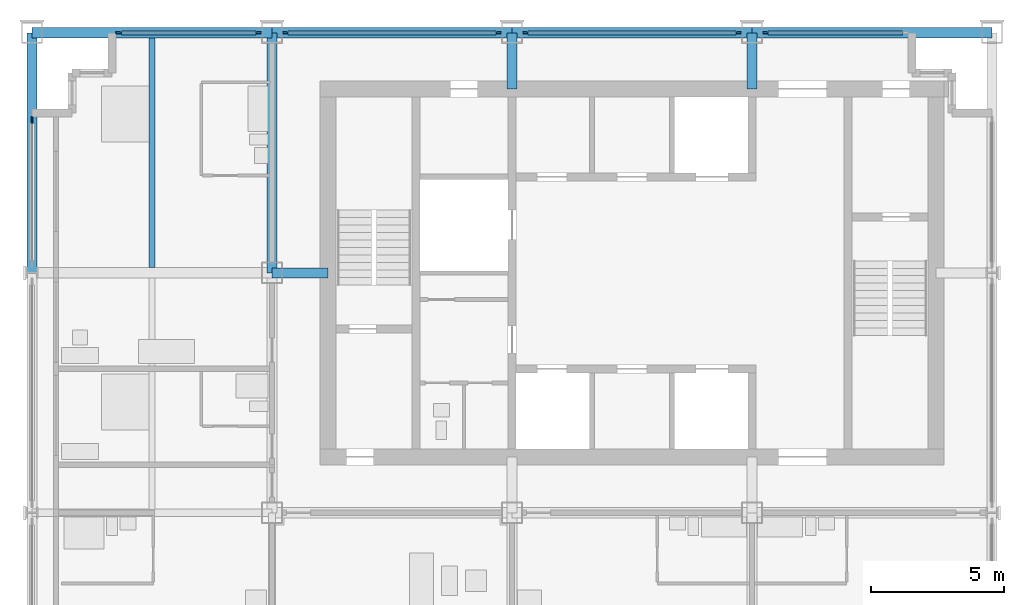
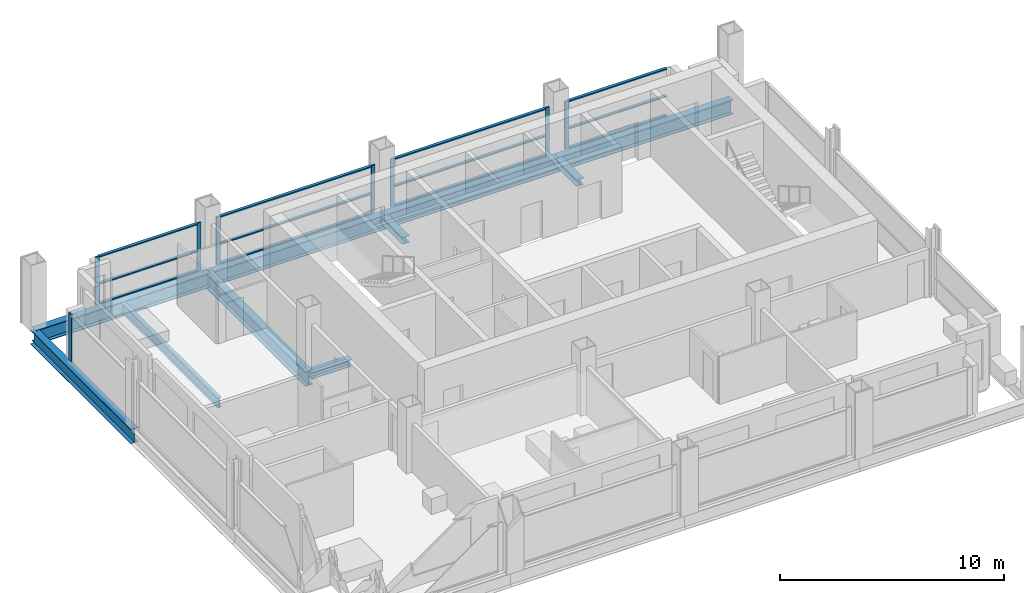
# One storey, part 3 of 11: 23 members, 7 beams, 5 elements without a shape of their own.
"""IFC4 building model written with IfcOpenShell, lengths in metres."""

from ifc_helpers import new_model, si_unit, direction, frame, origin, origin_2d, place, context, subcontext, project, spatial, rectangle, i_section, extrude, material, material_profile, profile_set, type_object, element, aggregate, save


model = new_model("IFC4")

# Units and contexts
model_context = context("Model", 3, precision=1e-05, world=origin(), true_north=direction((0.0, 1.0)))
body_context = subcontext(model_context, "Body", "Model", "MODEL_VIEW")
ifc_project = project(units=[si_unit("LENGTHUNIT", "METRE"), si_unit("AREAUNIT", "SQUARE_METRE"), si_unit("VOLUMEUNIT", "CUBIC_METRE"), si_unit("PLANEANGLEUNIT", "RADIAN"), si_unit("MASSUNIT", "GRAM", prefix="KILO")], contexts=[model_context])

# Site, building, storey
site_placement = place(None, origin())
site = spatial("IfcSite", under=ifc_project, at=site_placement, CompositionType="ELEMENT")
building_placement = place(site_placement, origin())
building = spatial("IfcBuilding", under=site, at=building_placement, Name="Loomwork Tower", CompositionType="ELEMENT")
storey_placement = place(building_placement, frame((0.0, 0.0, 241.0)))
storey = spatial("IfcBuildingStorey", under=building, at=storey_placement, Name="L66", CompositionType="ELEMENT", Elevation=241.0)

# Beam
ifc_material_1 = material(Name="Steel ASTM A992", Category="steel")
ifc_material_profile_1 = material_profile(ifc_material_1, i_section(OverallWidth=0.383544921875, OverallDepth=0.794921875, WebThickness=0.02099609375, FlangeThickness=0.0380859375, at=origin_2d()), Name="W30x235")
ifc_profile_set_1 = profile_set([ifc_material_profile_1], Name="Steel ASTM A992")
beam_type_1 = type_object("IfcBeamType", Name="CORE FLANK GIRDER W30x235", PredefinedType="BEAM", material=ifc_profile_set_1)
beam_1_placement = place(storey_placement, frame((9.0, 18.0, -0.597412109375), z_axis=(0.0, 1.0, 0.0), x_axis=(-1.0, 0.0, 0.0)))
element("IfcBeam", 1, at=beam_1_placement, inside=storey, type_object=beam_type_1, Name="Core Flank Girder F/3-G/3 L66", PredefinedType="BEAM", context=body_context, shape_type="SweptSolid", body=[
    extrude(i_section(OverallWidth=0.383544921875, OverallDepth=0.794921875, WebThickness=0.02099609375, FlangeThickness=0.0380859375, at=origin_2d()), origin(), (0.0, 0.0, 1.0), 9.0),
])

# Members
ifc_material_2 = material(Name="Steel ASTM A992", Category="steel")
ifc_material_profile_2 = material_profile(ifc_material_2, i_section(OverallWidth=0.373291015625, OverallDepth=0.373291015625, WebThickness=0.016357421875, FlangeThickness=0.026123046875, at=origin_2d()), Name="W14x132")
ifc_profile_set_2 = profile_set([ifc_material_profile_2], Name="Steel ASTM A992")
member_type_1 = type_object("IfcMemberType", Name="CORE LINK STRUT W14x132", PredefinedType="STRUT", material=ifc_profile_set_2)
for number, where, z_axis, x_axis, name in (
    (2, (18.0, 27.0, -0.38671875), (0.0, -1.0, 0.0), (1.0, 0.0, 0.0), "Core link strut G/4-18.000,24.900 L66"),
    (3, (27.0, 27.0, -0.38671875), (0.0, -1.0, 0.0), (1.0, 0.0, 0.0), "Core link strut G/5-27.000,24.900 L66"),
    (4, (9.0, 18.0, -0.38671875), (1.0, 0.0, 0.0), (0.0, 1.0, 0.0), "Core link strut F/3-11.100,18.000 L66"),
):
    element("IfcMember", number, at=place(storey_placement, frame(where, z_axis=z_axis, x_axis=x_axis)), inside=storey, type_object=member_type_1, Name=name, PredefinedType="STRUT", context=body_context, shape_type="SweptSolid", body=[
        extrude(i_section(OverallWidth=0.373291015625, OverallDepth=0.373291015625, WebThickness=0.016357421875, FlangeThickness=0.026123046875, at=origin_2d()), origin(), (0.0, 0.0, 1.0), 2.10009765625),
    ])

# Beam
ifc_material_3 = material(Name="Steel ASTM A992", Category="steel")
ifc_material_profile_3 = material_profile(ifc_material_3, i_section(OverallWidth=0.2109375, OverallDepth=0.53857421875, WebThickness=0.011474609375, FlangeThickness=0.018798828125, at=origin_2d()), Name="W21x73")
ifc_profile_set_3 = profile_set([ifc_material_profile_3], Name="Steel ASTM A992")
beam_type_2 = type_object("IfcBeamType", Name="FLOOR JOIST W21x73", PredefinedType="JOIST", material=ifc_profile_set_3)
beam_2_placement = place(storey_placement, frame((4.5, 18.19091796875, -0.46923828125), z_axis=(0.0, 1.0, 0.0), x_axis=(-1.0, 0.0, 0.0)))
element("IfcBeam", 5, at=beam_2_placement, inside=storey, type_object=beam_type_2, Name="Floor Joist 4.500,18.000-4.500,27.000 L66", PredefinedType="JOIST", context=body_context, shape_type="SweptSolid", body=[
    extrude(i_section(OverallWidth=0.2109375, OverallDepth=0.53857421875, WebThickness=0.011474609375, FlangeThickness=0.018798828125, at=origin_2d()), origin(), (0.0, 0.0, 1.0), 8.619140625),
])

# Curtain wall, member
ifc_material_4 = material(Name="Aluminium curtain wall frame", Category="aluminium")
curtain_wall_type_1 = type_object("IfcCurtainWallType", Name="Outer skin glazing suites", PredefinedType="NOTDEFINED", material=ifc_material_4)
curtain_wall_1_placement = place(storey_placement, origin())
curtain_wall_1 = element("IfcCurtainWall", 6, at=curtain_wall_1_placement, inside=storey, type_object=curtain_wall_type_1, Name="Outer skin glazing suites cw/W-18", PredefinedType="NOTDEFINED")
ifc_material_5 = material(Name="Aluminium curtain wall frame", Category="aluminium")
ifc_material_profile_4 = material_profile(ifc_material_5, rectangle(XDim=0.06494140625, YDim=0.25, at=origin_2d()), Name="AL 65x250")
ifc_profile_set_4 = profile_set([ifc_material_profile_4], Name="Aluminium curtain wall frame")
member_type_2 = type_object("IfcMemberType", Name="Outer skin glazing suites mullion", PredefinedType="MULLION", material=ifc_profile_set_4)
member_1_placement = place(storey_placement, frame((0.0, 23.72509765625, 0.0), z_axis=(0.0, 0.0, 1.0), x_axis=(1.0, 0.0, 0.0)))
member_1 = element("IfcMember", 7, at=member_1_placement, type_object=member_type_2, Name="CW2 mullion 1", PredefinedType="MULLION", context=body_context, shape_type="SweptSolid", body=[
    extrude(rectangle(XDim=0.06494140625, YDim=0.25, at=origin_2d()), origin(), (0.0, 0.0, 1.0), 2.6201171875),
])
aggregate(curtain_wall_1, [member_1])

# Beams
ifc_material_6 = material(Name="Steel ASTM A992", Category="steel")
ifc_material_profile_5 = material_profile(ifc_material_6, i_section(OverallWidth=0.381103515625, OverallDepth=0.77978515625, WebThickness=0.01806640625, FlangeThickness=0.0302734375, at=origin_2d()), Name="W30x191")
ifc_profile_set_5 = profile_set([ifc_material_profile_5], Name="Steel ASTM A992")
beam_type_3 = type_object("IfcBeamType", Name="SPANDREL GIRDER W30x191", PredefinedType="SPANDREL", material=ifc_profile_set_5)
for number, where, z_axis, x_axis, name in (
    (8, (0.0, 27.0, -0.58984375), (1.0, 0.0, 0.0), (0.0, 1.0, 0.0), "Spandrel Girder G/2-G/3 L66"),
    (9, (9.0, 27.0, -0.58984375), (1.0, 0.0, 0.0), (0.0, 1.0, 0.0), "Spandrel Girder G/3-G/4 L66"),
    (10, (18.0, 27.0, -0.58984375), (1.0, 0.0, 0.0), (0.0, 1.0, 0.0), "Spandrel Girder G/4-G/5 L66"),
    (11, (27.0, 27.0, -0.58984375), (1.0, 0.0, 0.0), (0.0, 1.0, 0.0), "Spandrel Girder G/5-G/6 L66"),
    (12, (0.0, 18.0, -0.58984375), (0.0, 1.0, 0.0), (-1.0, 0.0, 0.0), "Spandrel Girder F/2-G/2 L66"),
):
    element("IfcBeam", number, at=place(storey_placement, frame(where, z_axis=z_axis, x_axis=x_axis)), inside=storey, type_object=beam_type_3, Name=name, PredefinedType="SPANDREL", context=body_context, shape_type="SweptSolid", body=[
        extrude(i_section(OverallWidth=0.381103515625, OverallDepth=0.77978515625, WebThickness=0.01806640625, FlangeThickness=0.0302734375, at=origin_2d()), origin(), (0.0, 0.0, 1.0), 9.0),
    ])

# Curtain wall, members
ifc_material_7 = material(Name="Aluminium curtain wall frame", Category="aluminium")
curtain_wall_type_2 = type_object("IfcCurtainWallType", Name="Single skin glazing corridor", PredefinedType="NOTDEFINED", material=ifc_material_7)
curtain_wall_2_placement = place(storey_placement, origin())
curtain_wall_2 = element("IfcCurtainWall", 13, at=curtain_wall_2_placement, inside=storey, type_object=curtain_wall_type_2, Name="Single skin glazing corridor cw/N-0", PredefinedType="NOTDEFINED")
ifc_material_8 = material(Name="Aluminium curtain wall frame", Category="aluminium")
ifc_material_profile_6 = material_profile(ifc_material_8, rectangle(XDim=0.06494140625, YDim=0.199951171875, at=origin_2d()), Name="AL 65x200")
ifc_profile_set_6 = profile_set([ifc_material_profile_6], Name="Aluminium curtain wall frame")
member_type_3 = type_object("IfcMemberType", Name="Single skin glazing corridor mullion", PredefinedType="MULLION", material=ifc_profile_set_6)
member_2_placement = place(storey_placement, frame((8.5, 27.0, 0.0), z_axis=(0.0, 0.0, 1.0), x_axis=(0.0, -1.0, 0.0)))
member_2 = element("IfcMember", 14, at=member_2_placement, type_object=member_type_3, Name="CW3 mullion 1", PredefinedType="MULLION", context=body_context, shape_type="SweptSolid", body=[
    extrude(rectangle(XDim=0.06494140625, YDim=0.199951171875, at=origin_2d()), origin(), (0.0, 0.0, 1.0), 2.6201171875),
])
member_3_placement = place(storey_placement, frame((3.25, 27.0, 0.0), z_axis=(0.0, 0.0, 1.0), x_axis=(0.0, -1.0, 0.0)))
member_3 = element("IfcMember", 15, at=member_3_placement, type_object=member_type_3, Name="CW3 mullion 2", PredefinedType="MULLION", context=body_context, shape_type="SweptSolid", body=[
    extrude(rectangle(XDim=0.06494140625, YDim=0.199951171875, at=origin_2d()), origin(), (0.0, 0.0, 1.0), 2.6201171875),
])

curtain_wall_3_placement = place(storey_placement, origin())
curtain_wall_3 = element("IfcCurtainWall", 16, at=curtain_wall_3_placement, inside=storey, type_object=curtain_wall_type_2, Name="Single skin glazing corridor cw/N-9", PredefinedType="NOTDEFINED")
member_4_placement = place(storey_placement, frame((17.5, 27.0, 0.0), z_axis=(0.0, 0.0, 1.0), x_axis=(0.0, -1.0, 0.0)))
member_4 = element("IfcMember", 17, at=member_4_placement, type_object=member_type_3, Name="CW3 mullion 1", PredefinedType="MULLION", context=body_context, shape_type="SweptSolid", body=[
    extrude(rectangle(XDim=0.06494140625, YDim=0.199951171875, at=origin_2d()), origin(), (0.0, 0.0, 1.0), 2.6201171875),
])
member_5_placement = place(storey_placement, frame((9.5, 27.0, 0.0), z_axis=(0.0, 0.0, 1.0), x_axis=(0.0, -1.0, 0.0)))
member_5 = element("IfcMember", 18, at=member_5_placement, type_object=member_type_3, Name="CW3 mullion 2", PredefinedType="MULLION", context=body_context, shape_type="SweptSolid", body=[
    extrude(rectangle(XDim=0.06494140625, YDim=0.199951171875, at=origin_2d()), origin(), (0.0, 0.0, 1.0), 2.6201171875),
])

curtain_wall_4_placement = place(storey_placement, origin())
curtain_wall_4 = element("IfcCurtainWall", 19, at=curtain_wall_4_placement, inside=storey, type_object=curtain_wall_type_2, Name="Single skin glazing corridor cw/N-18", PredefinedType="NOTDEFINED")
member_6_placement = place(storey_placement, frame((26.5, 27.0, 0.0), z_axis=(0.0, 0.0, 1.0), x_axis=(0.0, -1.0, 0.0)))
member_6 = element("IfcMember", 20, at=member_6_placement, type_object=member_type_3, Name="CW3 mullion 1", PredefinedType="MULLION", context=body_context, shape_type="SweptSolid", body=[
    extrude(rectangle(XDim=0.06494140625, YDim=0.199951171875, at=origin_2d()), origin(), (0.0, 0.0, 1.0), 2.6201171875),
])
member_7_placement = place(storey_placement, frame((18.5, 27.0, 0.0), z_axis=(0.0, 0.0, 1.0), x_axis=(0.0, -1.0, 0.0)))
member_7 = element("IfcMember", 21, at=member_7_placement, type_object=member_type_3, Name="CW3 mullion 2", PredefinedType="MULLION", context=body_context, shape_type="SweptSolid", body=[
    extrude(rectangle(XDim=0.06494140625, YDim=0.199951171875, at=origin_2d()), origin(), (0.0, 0.0, 1.0), 2.6201171875),
])

# Curtain wall, member
curtain_wall_5_placement = place(storey_placement, origin())
curtain_wall_5 = element("IfcCurtainWall", 22, at=curtain_wall_5_placement, inside=storey, type_object=curtain_wall_type_2, Name="Single skin glazing corridor cw/N-27", PredefinedType="NOTDEFINED")
member_8_placement = place(storey_placement, frame((27.5, 27.0, 0.0), z_axis=(0.0, 0.0, 1.0), x_axis=(0.0, -1.0, 0.0)))
member_8 = element("IfcMember", 23, at=member_8_placement, type_object=member_type_3, Name="CW3 mullion 2", PredefinedType="MULLION", context=body_context, shape_type="SweptSolid", body=[
    extrude(rectangle(XDim=0.06494140625, YDim=0.199951171875, at=origin_2d()), origin(), (0.0, 0.0, 1.0), 2.6201171875),
])

# Member
ifc_material_9 = material(Name="Aluminium curtain wall frame", Category="aluminium")
ifc_material_profile_7 = material_profile(ifc_material_9, rectangle(XDim=0.14990234375, YDim=0.06494140625, at=origin_2d()), Name="AL 65x150")
ifc_profile_set_7 = profile_set([ifc_material_profile_7], Name="Aluminium curtain wall frame")
member_type_4 = type_object("IfcMemberType", Name="Single skin glazing corridor transom", PredefinedType="USERDEFINED", material=ifc_profile_set_7)
member_9_placement = place(storey_placement, frame((8.39990234375, 27.0, 0.032470703125), z_axis=(-1.0, 0.0, 0.0), x_axis=(0.0, -1.0, 0.0)))
member_9 = element("IfcMember", 24, at=member_9_placement, type_object=member_type_4, Name="CW3 transom 1.1", ObjectType="TRANSOM", PredefinedType="USERDEFINED", context=body_context, shape_type="SweptSolid", body=[
    extrude(rectangle(XDim=0.14990234375, YDim=0.06494140625, at=origin_2d()), origin(), (0.0, 0.0, 1.0), 5.0498046875),
])

member_10_placement = place(storey_placement, frame((8.39990234375, 27.0, 1.10009765625), z_axis=(-1.0, 0.0, 0.0), x_axis=(0.0, -1.0, 0.0)))
member_10 = element("IfcMember", 25, at=member_10_placement, type_object=member_type_4, Name="CW3 transom 1.2", ObjectType="TRANSOM", PredefinedType="USERDEFINED", context=body_context, shape_type="SweptSolid", body=[
    extrude(rectangle(XDim=0.14990234375, YDim=0.06494140625, at=origin_2d()), origin(), (0.0, 0.0, 1.0), 5.0498046875),
])

member_11_placement = place(storey_placement, frame((8.39990234375, 27.0, 2.587646484375), z_axis=(-1.0, 0.0, 0.0), x_axis=(0.0, -1.0, 0.0)))
member_11 = element("IfcMember", 26, at=member_11_placement, type_object=member_type_4, Name="CW3 transom 1.3", ObjectType="TRANSOM", PredefinedType="USERDEFINED", context=body_context, shape_type="SweptSolid", body=[
    extrude(rectangle(XDim=0.14990234375, YDim=0.06494140625, at=origin_2d()), origin(), (0.0, 0.0, 1.0), 5.0498046875),
])

aggregate(curtain_wall_2, [member_2, member_3, member_9, member_10, member_11])

member_12_placement = place(storey_placement, frame((17.39990234375, 27.0, 0.032470703125), z_axis=(-1.0, 0.0, 0.0), x_axis=(0.0, -1.0, 0.0)))
member_12 = element("IfcMember", 27, at=member_12_placement, type_object=member_type_4, Name="CW3 transom 1.1", ObjectType="TRANSOM", PredefinedType="USERDEFINED", context=body_context, shape_type="SweptSolid", body=[
    extrude(rectangle(XDim=0.14990234375, YDim=0.06494140625, at=origin_2d()), origin(), (0.0, 0.0, 1.0), 7.7998046875),
])

member_13_placement = place(storey_placement, frame((17.39990234375, 27.0, 1.10009765625), z_axis=(-1.0, 0.0, 0.0), x_axis=(0.0, -1.0, 0.0)))
member_13 = element("IfcMember", 28, at=member_13_placement, type_object=member_type_4, Name="CW3 transom 1.2", ObjectType="TRANSOM", PredefinedType="USERDEFINED", context=body_context, shape_type="SweptSolid", body=[
    extrude(rectangle(XDim=0.14990234375, YDim=0.06494140625, at=origin_2d()), origin(), (0.0, 0.0, 1.0), 7.7998046875),
])

member_14_placement = place(storey_placement, frame((17.39990234375, 27.0, 2.587646484375), z_axis=(-1.0, 0.0, 0.0), x_axis=(0.0, -1.0, 0.0)))
member_14 = element("IfcMember", 29, at=member_14_placement, type_object=member_type_4, Name="CW3 transom 1.3", ObjectType="TRANSOM", PredefinedType="USERDEFINED", context=body_context, shape_type="SweptSolid", body=[
    extrude(rectangle(XDim=0.14990234375, YDim=0.06494140625, at=origin_2d()), origin(), (0.0, 0.0, 1.0), 7.7998046875),
])

aggregate(curtain_wall_3, [member_4, member_5, member_12, member_13, member_14])

member_15_placement = place(storey_placement, frame((26.39990234375, 27.0, 0.032470703125), z_axis=(-1.0, 0.0, 0.0), x_axis=(0.0, -1.0, 0.0)))
member_15 = element("IfcMember", 30, at=member_15_placement, type_object=member_type_4, Name="CW3 transom 1.1", ObjectType="TRANSOM", PredefinedType="USERDEFINED", context=body_context, shape_type="SweptSolid", body=[
    extrude(rectangle(XDim=0.14990234375, YDim=0.06494140625, at=origin_2d()), origin(), (0.0, 0.0, 1.0), 7.7998046875),
])

member_16_placement = place(storey_placement, frame((26.39990234375, 27.0, 1.10009765625), z_axis=(-1.0, 0.0, 0.0), x_axis=(0.0, -1.0, 0.0)))
member_16 = element("IfcMember", 31, at=member_16_placement, type_object=member_type_4, Name="CW3 transom 1.2", ObjectType="TRANSOM", PredefinedType="USERDEFINED", context=body_context, shape_type="SweptSolid", body=[
    extrude(rectangle(XDim=0.14990234375, YDim=0.06494140625, at=origin_2d()), origin(), (0.0, 0.0, 1.0), 7.7998046875),
])

member_17_placement = place(storey_placement, frame((26.39990234375, 27.0, 2.587646484375), z_axis=(-1.0, 0.0, 0.0), x_axis=(0.0, -1.0, 0.0)))
member_17 = element("IfcMember", 32, at=member_17_placement, type_object=member_type_4, Name="CW3 transom 1.3", ObjectType="TRANSOM", PredefinedType="USERDEFINED", context=body_context, shape_type="SweptSolid", body=[
    extrude(rectangle(XDim=0.14990234375, YDim=0.06494140625, at=origin_2d()), origin(), (0.0, 0.0, 1.0), 7.7998046875),
])

aggregate(curtain_wall_4, [member_6, member_7, member_15, member_16, member_17])

member_18_placement = place(storey_placement, frame((32.64990234375, 27.0, 0.032470703125), z_axis=(-1.0, 0.0, 0.0), x_axis=(0.0, -1.0, 0.0)))
member_18 = element("IfcMember", 33, at=member_18_placement, type_object=member_type_4, Name="CW3 transom 1.1", ObjectType="TRANSOM", PredefinedType="USERDEFINED", context=body_context, shape_type="SweptSolid", body=[
    extrude(rectangle(XDim=0.14990234375, YDim=0.06494140625, at=origin_2d()), origin(), (0.0, 0.0, 1.0), 5.0498046875),
])

member_19_placement = place(storey_placement, frame((32.64990234375, 27.0, 1.10009765625), z_axis=(-1.0, 0.0, 0.0), x_axis=(0.0, -1.0, 0.0)))
member_19 = element("IfcMember", 34, at=member_19_placement, type_object=member_type_4, Name="CW3 transom 1.2", ObjectType="TRANSOM", PredefinedType="USERDEFINED", context=body_context, shape_type="SweptSolid", body=[
    extrude(rectangle(XDim=0.14990234375, YDim=0.06494140625, at=origin_2d()), origin(), (0.0, 0.0, 1.0), 5.0498046875),
])

member_20_placement = place(storey_placement, frame((32.64990234375, 27.0, 2.587646484375), z_axis=(-1.0, 0.0, 0.0), x_axis=(0.0, -1.0, 0.0)))
member_20 = element("IfcMember", 35, at=member_20_placement, type_object=member_type_4, Name="CW3 transom 1.3", ObjectType="TRANSOM", PredefinedType="USERDEFINED", context=body_context, shape_type="SweptSolid", body=[
    extrude(rectangle(XDim=0.14990234375, YDim=0.06494140625, at=origin_2d()), origin(), (0.0, 0.0, 1.0), 5.0498046875),
])

aggregate(curtain_wall_5, [member_8, member_18, member_19, member_20])

save(model, "model.ifc")
